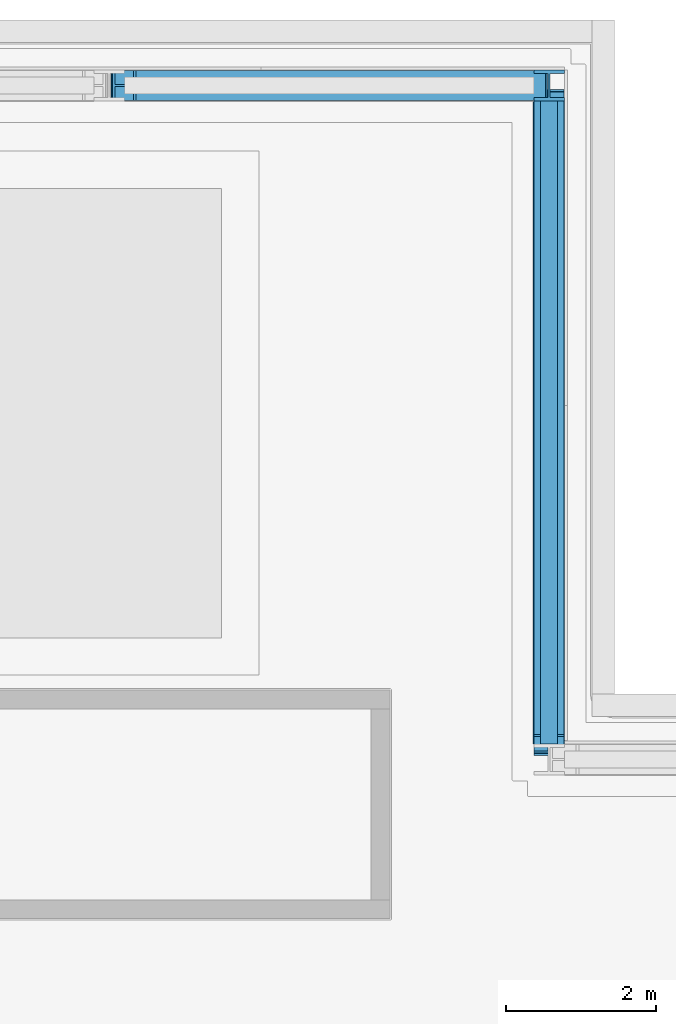
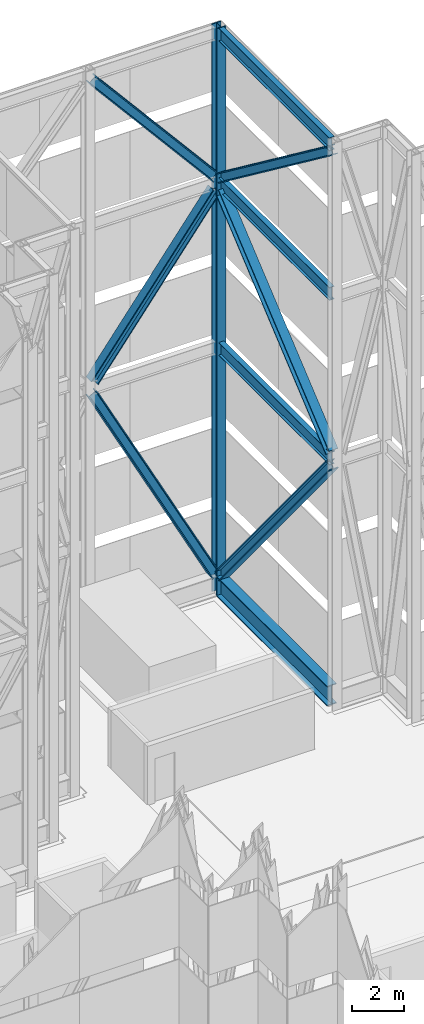
# One storey, part 8 of 19: 11 members.
"""IFC4 building model written with IfcOpenShell, lengths in metres."""

from ifc_helpers import new_model, si_unit, direction, frame, origin, origin_2d, place, context, subcontext, project, spatial, i_section, extrude, material, material_profile, profile_set, type_object, element, save


model = new_model("IFC4")

# Units and contexts
model_context = context("Model", 3, precision=1e-05, world=origin(), true_north=direction((0.0, 1.0)))
body_context = subcontext(model_context, "Body", "Model", "MODEL_VIEW")
ifc_project = project(units=[si_unit("LENGTHUNIT", "METRE"), si_unit("AREAUNIT", "SQUARE_METRE"), si_unit("VOLUMEUNIT", "CUBIC_METRE"), si_unit("PLANEANGLEUNIT", "RADIAN"), si_unit("MASSUNIT", "GRAM", prefix="KILO")], contexts=[model_context])

# Site, building, storey
site_placement = place(None, origin())
site = spatial("IfcSite", under=ifc_project, at=site_placement, CompositionType="ELEMENT")
building_placement = place(site_placement, origin())
building = spatial("IfcBuilding", under=site, at=building_placement, Name="Shamsa Quay Exchange Towers", CompositionType="ELEMENT")
storey_placement = place(building_placement, frame((0.0, 0.0, 284.300048828125)))
storey = spatial("IfcBuildingStorey", under=building, at=storey_placement, Name="Roof", CompositionType="ELEMENT", Elevation=284.300048828125)

# Members
ifc_material = material(Name="Steel S355", Category="steel")
ifc_material_profile_1 = material_profile(ifc_material, i_section(OverallWidth=0.423095703125, OverallDepth=0.947265625, WebThickness=0.02392578125, FlangeThickness=0.042724609375, at=origin_2d()), Name="W36x302")
ifc_profile_set_1 = profile_set([ifc_material_profile_1], Name="Steel S355")
member_type_1 = type_object("IfcMemberType", Name="Crown frame base ring girder W36x302", PredefinedType="USERDEFINED", material=ifc_profile_set_1)
member_1_placement = place(storey_placement, frame((39.625, 10.5830078125, 0.4736328125), z_axis=(0.0, 1.0, 0.0), x_axis=(-1.0, 0.0, 0.0)))
element("IfcMember", 1, at=member_1_placement, inside=storey, type_object=member_type_1, Name="Crown frame base ring girder T2", ObjectType="CROWN FRAME", PredefinedType="USERDEFINED", context=body_context, shape_type="SweptSolid", body=[
    extrude(i_section(OverallWidth=0.423095703125, OverallDepth=0.947265625, WebThickness=0.02392578125, FlangeThickness=0.042724609375, at=origin_2d()), origin(), (0.0, 0.0, 1.0), 8.583984375),
])
ifc_material_profile_2 = material_profile(ifc_material, i_section(OverallWidth=0.403564453125, OverallDepth=0.407470703125, WebThickness=0.027099609375, FlangeThickness=0.043701171875, at=origin_2d()), Name="W14x233")
ifc_profile_set_2 = profile_set([ifc_material_profile_2], Name="Steel S355")
member_type_2 = type_object("IfcMemberType", Name="Crown frame brace W14x233", PredefinedType="USERDEFINED", material=ifc_profile_set_2)
member_2_placement = place(storey_placement, frame((39.625, 10.5830078125, 11.393798828125), z_axis=(0.0, 0.634867639372, -0.772620916413), x_axis=(-1.0, 0.0, 0.0)))
element("IfcMember", 2, at=member_2_placement, inside=storey, type_object=member_type_2, Name="Crown frame brace T2", ObjectType="CROWN FRAME", PredefinedType="USERDEFINED", context=body_context, shape_type="SweptSolid", body=[
    extrude(i_section(OverallWidth=0.403564453125, OverallDepth=0.407470703125, WebThickness=0.027099609375, FlangeThickness=0.043701171875, at=origin_2d()), origin(), (0.0, 0.0, 1.0), 13.52099609375),
])
member_3_placement = place(storey_placement, frame((39.625, 10.5830078125, 12.006103515625), z_axis=(0.0, 0.766706999724, 0.641997178011), x_axis=(-1.0, 0.0, 0.0)))
element("IfcMember", 3, at=member_3_placement, inside=storey, type_object=member_type_2, Name="Crown frame brace T2", ObjectType="CROWN FRAME", PredefinedType="USERDEFINED", context=body_context, shape_type="SweptSolid", body=[
    extrude(i_section(OverallWidth=0.403564453125, OverallDepth=0.407470703125, WebThickness=0.027099609375, FlangeThickness=0.043701171875, at=origin_2d()), origin(), (0.0, 0.0, 1.0), 11.19580078125),
])
member_4_placement = place(storey_placement, frame((39.625, 10.5830078125, 26.287841796875), z_axis=(0.0, 0.798034686142, -0.602611516413), x_axis=(-1.0, 0.0, 0.0)))
element("IfcMember", 4, at=member_4_placement, inside=storey, type_object=member_type_2, Name="Crown frame brace T2", ObjectType="CROWN FRAME", PredefinedType="USERDEFINED", context=body_context, shape_type="SweptSolid", body=[
    extrude(i_section(OverallWidth=0.403564453125, OverallDepth=0.407470703125, WebThickness=0.027099609375, FlangeThickness=0.043701171875, at=origin_2d()), origin(), (0.0, 0.0, 1.0), 10.75634765625),
])
member_5_placement = place(storey_placement, frame((39.421875, 19.375, 0.947265625), z_axis=(-0.46379112615, 0.0, 0.885944575752), x_axis=(0.0, -1.0, 0.0)))
element("IfcMember", 5, at=member_5_placement, inside=storey, type_object=member_type_2, Name="Crown frame brace T2", ObjectType="CROWN FRAME", PredefinedType="USERDEFINED", context=body_context, shape_type="SweptSolid", body=[
    extrude(i_section(OverallWidth=0.403564453125, OverallDepth=0.407470703125, WebThickness=0.027099609375, FlangeThickness=0.043701171875, at=origin_2d()), origin(), (0.0, 0.0, 1.0), 11.79150390625),
])
member_6_placement = place(storey_placement, frame((39.421875, 19.375, 19.19384765625), z_axis=(-0.605508806079, 0.0, -0.795838605347), x_axis=(0.0, -1.0, 0.0)))
element("IfcMember", 6, at=member_6_placement, inside=storey, type_object=member_type_2, Name="Crown frame brace T2", ObjectType="CROWN FRAME", PredefinedType="USERDEFINED", context=body_context, shape_type="SweptSolid", body=[
    extrude(i_section(OverallWidth=0.403564453125, OverallDepth=0.407470703125, WebThickness=0.027099609375, FlangeThickness=0.043701171875, at=origin_2d()), origin(), (0.0, 0.0, 1.0), 9.03173828125),
])
member_7_placement = place(storey_placement, frame((39.421875, 19.375, 19.805908203125), z_axis=(-0.644844663681, 0.0, 0.764313652712), x_axis=(0.0, -1.0, 0.0)))
element("IfcMember", 7, at=member_7_placement, inside=storey, type_object=member_type_2, Name="Crown frame brace T2", ObjectType="CROWN FRAME", PredefinedType="USERDEFINED", context=body_context, shape_type="SweptSolid", body=[
    extrude(i_section(OverallWidth=0.403564453125, OverallDepth=0.407470703125, WebThickness=0.027099609375, FlangeThickness=0.043701171875, at=origin_2d()), origin(), (0.0, 0.0, 1.0), 8.480712890625),
])
ifc_material_profile_3 = material_profile(ifc_material, i_section(OverallWidth=0.40625, OverallDepth=0.416015625, WebThickness=0.02978515625, FlangeThickness=0.048095703125, at=origin_2d()), Name="W14x257")
ifc_profile_set_3 = profile_set([ifc_material_profile_3], Name="Steel S355")
member_type_3 = type_object("IfcMemberType", Name="Crown frame post W14x257", PredefinedType="USERDEFINED", material=ifc_profile_set_3)
member_8_placement = place(storey_placement, frame((39.625, 19.375, 0.0)))
element("IfcMember", 8, at=member_8_placement, inside=storey, type_object=member_type_3, Name="Crown frame post T2", ObjectType="CROWN FRAME", PredefinedType="USERDEFINED", context=body_context, shape_type="SweptSolid", body=[
    extrude(i_section(OverallWidth=0.40625, OverallDepth=0.416015625, WebThickness=0.02978515625, FlangeThickness=0.048095703125, at=origin_2d()), origin(), (0.0, 0.0, 1.0), 26.89990234375),
])
ifc_material_profile_4 = material_profile(ifc_material, i_section(OverallWidth=0.22900390625, OverallDepth=0.612060546875, WebThickness=0.011962890625, FlangeThickness=0.01953125, at=origin_2d()), Name="W24x84")
ifc_profile_set_4 = profile_set([ifc_material_profile_4], Name="Steel S355")
member_type_4 = type_object("IfcMemberType", Name="Crown frame ring beam W24x84", PredefinedType="USERDEFINED", material=ifc_profile_set_4)
for number, where, z_axis, x_axis, name in (
    (9, (39.625, 10.5830078125, 11.699951171875), (0.0, 1.0, 0.0), (-1.0, 0.0, 0.0), "Crown frame ring beam T2"),
    (10, (39.625, 10.5830078125, 19.5), (0.0, 1.0, 0.0), (-1.0, 0.0, 0.0), "Crown frame ring beam T2"),
    (11, (39.625, 10.5830078125, 26.593994140625), (0.0, 1.0, 0.0), (-1.0, 0.0, 0.0), "Crown frame ring beam T2"),
):
    element("IfcMember", number, at=place(storey_placement, frame(where, z_axis=z_axis, x_axis=x_axis)), inside=storey, type_object=member_type_4, Name=name, ObjectType="CROWN FRAME", PredefinedType="USERDEFINED", context=body_context, shape_type="SweptSolid", body=[
        extrude(i_section(OverallWidth=0.22900390625, OverallDepth=0.612060546875, WebThickness=0.011962890625, FlangeThickness=0.01953125, at=origin_2d()), origin(), (0.0, 0.0, 1.0), 8.583984375),
    ])

save(model, "model.ifc")
